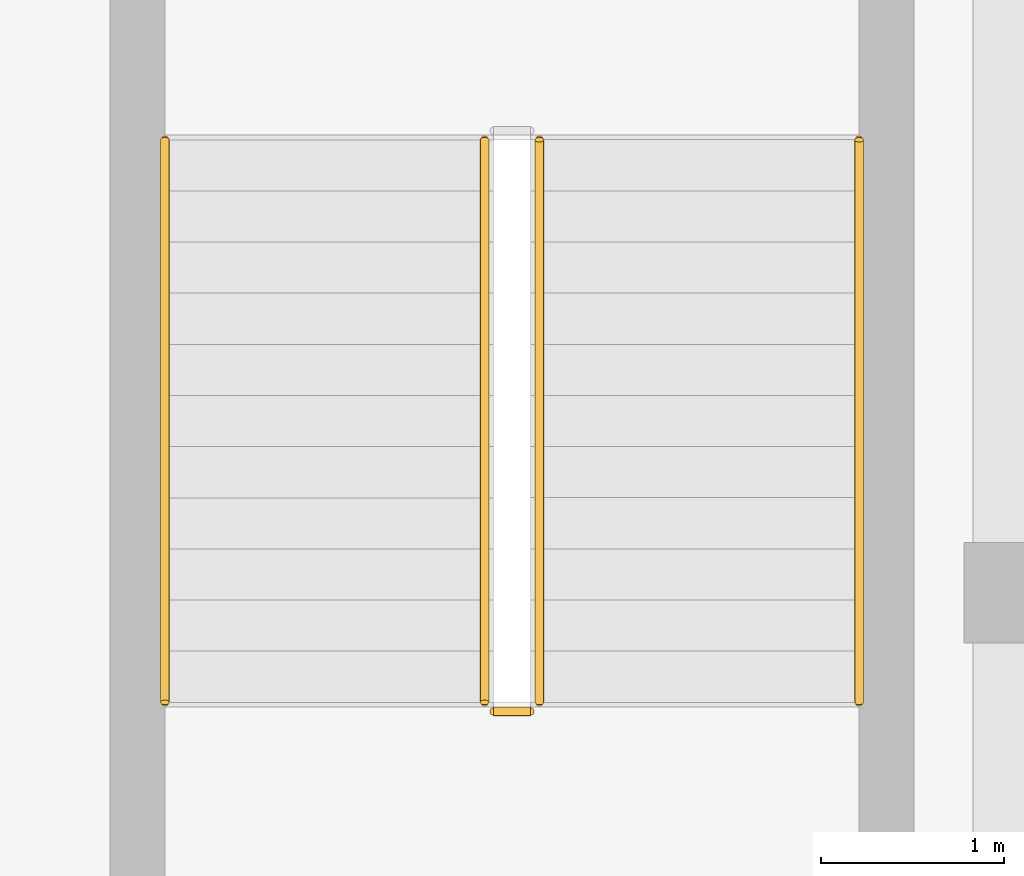
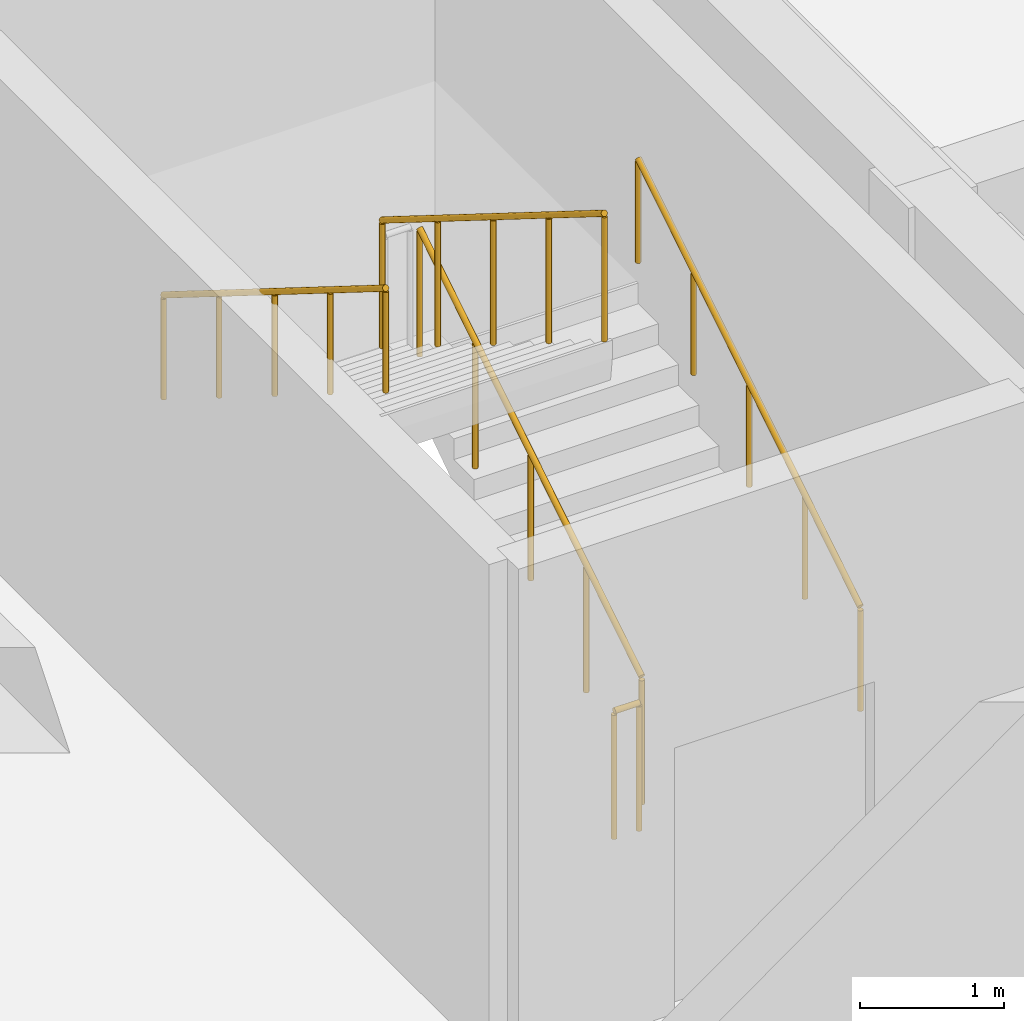
# One storey, part 69 of 77: 5 railings.
"""IFC4 building model written with IfcOpenShell, lengths in metres."""

from ifc_helpers import new_model, si_unit, direction, frame, origin, origin_2d, place, context, subcontext, project, spatial, circle, extrude, material, type_object, element, save


model = new_model("IFC4")

# Units and contexts
model_context = context("Model", 3, precision=1e-05, world=origin(), true_north=direction((0.0, 1.0)))
body_context = subcontext(model_context, "Body", "Model", "MODEL_VIEW")
ifc_project = project(units=[si_unit("LENGTHUNIT", "METRE"), si_unit("AREAUNIT", "SQUARE_METRE"), si_unit("VOLUMEUNIT", "CUBIC_METRE"), si_unit("PLANEANGLEUNIT", "RADIAN"), si_unit("MASSUNIT", "GRAM", prefix="KILO")], contexts=[model_context])

# Site, building, storey
site_placement = place(None, origin())
site = spatial("IfcSite", under=ifc_project, at=site_placement, CompositionType="ELEMENT")
building_placement = place(site_placement, origin())
building = spatial("IfcBuilding", under=site, at=building_placement, Name="Varncliffe General Hospital", CompositionType="ELEMENT")
storey_placement = place(building_placement, frame((0.0, 0.0, 16.199951171875)))
storey = spatial("IfcBuildingStorey", under=building, at=storey_placement, Name="L03", CompositionType="ELEMENT", Elevation=16.199951171875)

# Railings
ifc_material = material(Name="Powder-coated hospital steel guardrail and handrail", Category="steel")
railing_type_1 = type_object("IfcRailingType", Name="Stair and Ramp Handrail HR46", PredefinedType="HANDRAIL", material=ifc_material)
railing_1_placement = place(storey_placement, frame((116.75, 90.60009765625, 0.35400390625)))
element("IfcRailing", 1, at=railing_1_placement, inside=storey, type_object=railing_type_1, Name="L03 ST06 stair handrail 1", PredefinedType="HANDRAIL", context=body_context, shape_type="SweptSolid", body=[
    extrude(circle(Radius=0.02392578125, at=origin_2d()), frame((0.0, 0.0, 0.8759765625), z_axis=(0.0, 0.847979421464, 0.530029150871), x_axis=(-1.0, 0.0, 0.0)), (0.0, 0.0, 1.0), 3.632080078125),
    extrude(circle(Radius=0.02099609375, at=origin_2d()), origin(), (0.0, 0.0, 1.0), 0.851806640625),
    extrude(circle(Radius=0.02099609375, at=origin_2d()), frame((0.0, 0.77001953125, 0.481201171875)), (0.0, 0.0, 1.0), 0.851806640625),
    extrude(circle(Radius=0.02099609375, at=origin_2d()), frame((0.0, 1.5400390625, 0.96240234375)), (0.0, 0.0, 1.0), 0.851806640625),
    extrude(circle(Radius=0.02099609375, at=origin_2d()), frame((0.0, 2.309814453125, 1.44384765625)), (0.0, 0.0, 1.0), 0.851806640625),
    extrude(circle(Radius=0.02099609375, at=origin_2d()), frame((0.0, 3.079833984375, 1.925048828125)), (0.0, 0.0, 1.0), 0.851806640625),
])
railing_2_placement = place(storey_placement, frame((112.949951171875, 93.679931640625, 2.4541015625)))
element("IfcRailing", 2, at=railing_2_placement, inside=storey, type_object=railing_type_1, Name="L03 ST06 stair handrail 2", PredefinedType="HANDRAIL", context=body_context, shape_type="SweptSolid", body=[
    extrude(circle(Radius=0.02392578125, at=origin_2d()), frame((0.0, 0.0, 0.8759765625), z_axis=(0.0, -0.847979421464, 0.530029150871), x_axis=(1.0, 0.0, 0.0)), (0.0, 0.0, 1.0), 3.632080078125),
    extrude(circle(Radius=0.02099609375, at=origin_2d()), origin(), (0.0, 0.0, 1.0), 0.851806640625),
    extrude(circle(Radius=0.02099609375, at=origin_2d()), frame((0.0, -0.77001953125, 0.481201171875)), (0.0, 0.0, 1.0), 0.851806640625),
    extrude(circle(Radius=0.02099609375, at=origin_2d()), frame((0.0, -1.5400390625, 0.96240234375)), (0.0, 0.0, 1.0), 0.851806640625),
    extrude(circle(Radius=0.02099609375, at=origin_2d()), frame((0.0, -2.309814453125, 1.44384765625)), (0.0, 0.0, 1.0), 0.851806640625),
    extrude(circle(Radius=0.02099609375, at=origin_2d()), frame((0.0, -3.079833984375, 1.925048828125)), (0.0, 0.0, 1.0), 0.851806640625),
])
railing_type_2 = type_object("IfcRailingType", Name="Stairwell Guardrail SG49", PredefinedType="GUARDRAIL", material=ifc_material)
railing_3_placement = place(storey_placement, frame((115.0, 90.60009765625, 0.175048828125)))
element("IfcRailing", 3, at=railing_3_placement, inside=storey, type_object=railing_type_2, Name="L03 ST06 stair guard 1", PredefinedType="GUARDRAIL", context=body_context, shape_type="SweptSolid", body=[
    extrude(circle(Radius=0.02392578125, at=origin_2d()), frame((0.0, 0.0, 1.076171875), z_axis=(0.0, 0.847979421464, 0.530029150871), x_axis=(-1.0, 0.0, 0.0)), (0.0, 0.0, 1.0), 3.632080078125),
    extrude(circle(Radius=0.02099609375, at=origin_2d()), origin(), (0.0, 0.0, 1.0), 1.052001953125),
    extrude(circle(Radius=0.02099609375, at=origin_2d()), frame((0.0, 0.77001953125, 0.481201171875)), (0.0, 0.0, 1.0), 1.052001953125),
    extrude(circle(Radius=0.02099609375, at=origin_2d()), frame((0.0, 1.5400390625, 0.96240234375)), (0.0, 0.0, 1.0), 1.052001953125),
    extrude(circle(Radius=0.02099609375, at=origin_2d()), frame((0.0, 2.309814453125, 1.44384765625)), (0.0, 0.0, 1.0), 1.052001953125),
    extrude(circle(Radius=0.02099609375, at=origin_2d()), frame((0.0, 3.079833984375, 1.925048828125)), (0.0, 0.0, 1.0), 1.052001953125),
])
railing_4_placement = place(storey_placement, frame((114.699951171875, 93.679931640625, 2.275146484375)))
element("IfcRailing", 4, at=railing_4_placement, inside=storey, type_object=railing_type_2, Name="L03 ST06 stair guard 3", PredefinedType="GUARDRAIL", context=body_context, shape_type="SweptSolid", body=[
    extrude(circle(Radius=0.02392578125, at=origin_2d()), frame((0.0, 0.0, 1.076171875), z_axis=(0.0, -0.848009633417, 0.529980812513), x_axis=(1.0, 0.0, 0.0)), (0.0, 0.0, 1.0), 3.6318359375),
    extrude(circle(Radius=0.02099609375, at=origin_2d()), origin(), (0.0, 0.0, 1.0), 1.052001953125),
    extrude(circle(Radius=0.02099609375, at=origin_2d()), frame((0.0, -0.77001953125, 0.481201171875)), (0.0, 0.0, 1.0), 1.052001953125),
    extrude(circle(Radius=0.02099609375, at=origin_2d()), frame((0.0, -1.5400390625, 0.96240234375)), (0.0, 0.0, 1.0), 1.052001953125),
    extrude(circle(Radius=0.02099609375, at=origin_2d()), frame((0.0, -2.309814453125, 1.443603515625)), (0.0, 0.0, 1.0), 1.052001953125),
    extrude(circle(Radius=0.02099609375, at=origin_2d()), frame((0.0, -3.079833984375, 1.9248046875)), (0.0, 0.0, 1.0), 1.052001953125),
])
railing_5_placement = place(storey_placement, frame((114.949951171875, 90.550048828125, 0.0)))
element("IfcRailing", 5, at=railing_5_placement, inside=storey, type_object=railing_type_2, Name="L03 ST06 stair guard 4", PredefinedType="GUARDRAIL", context=body_context, shape_type="SweptSolid", body=[
    extrude(circle(Radius=0.02392578125, at=origin_2d()), frame((0.0, 0.0, 1.076171875), z_axis=(-1.0, 0.0, 0.0), x_axis=(0.0, -1.0, 0.0)), (0.0, 0.0, 1.0), 0.199951171875),
    extrude(circle(Radius=0.02099609375, at=origin_2d()), origin(), (0.0, 0.0, 1.0), 1.052001953125),
    extrude(circle(Radius=0.02099609375, at=origin_2d()), frame((-0.199951171875, 0.0, 0.0)), (0.0, 0.0, 1.0), 1.052001953125),
])

save(model, "model.ifc")
